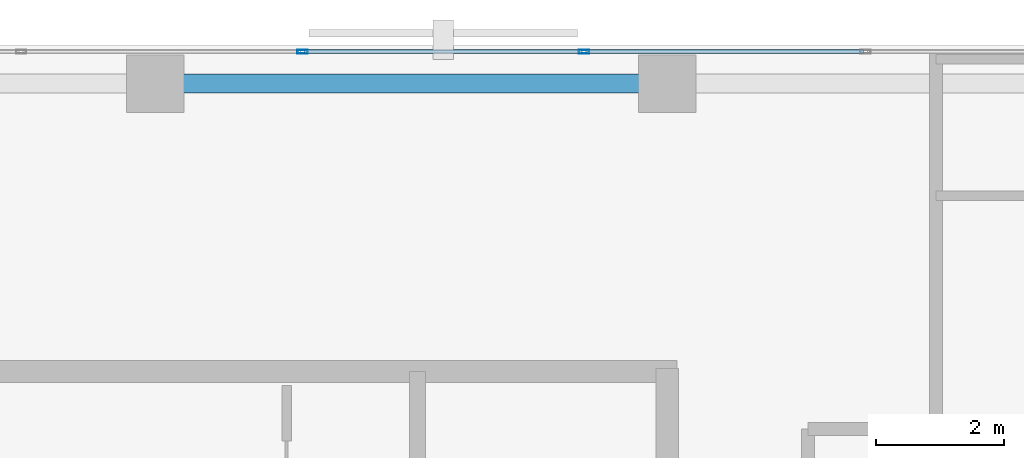
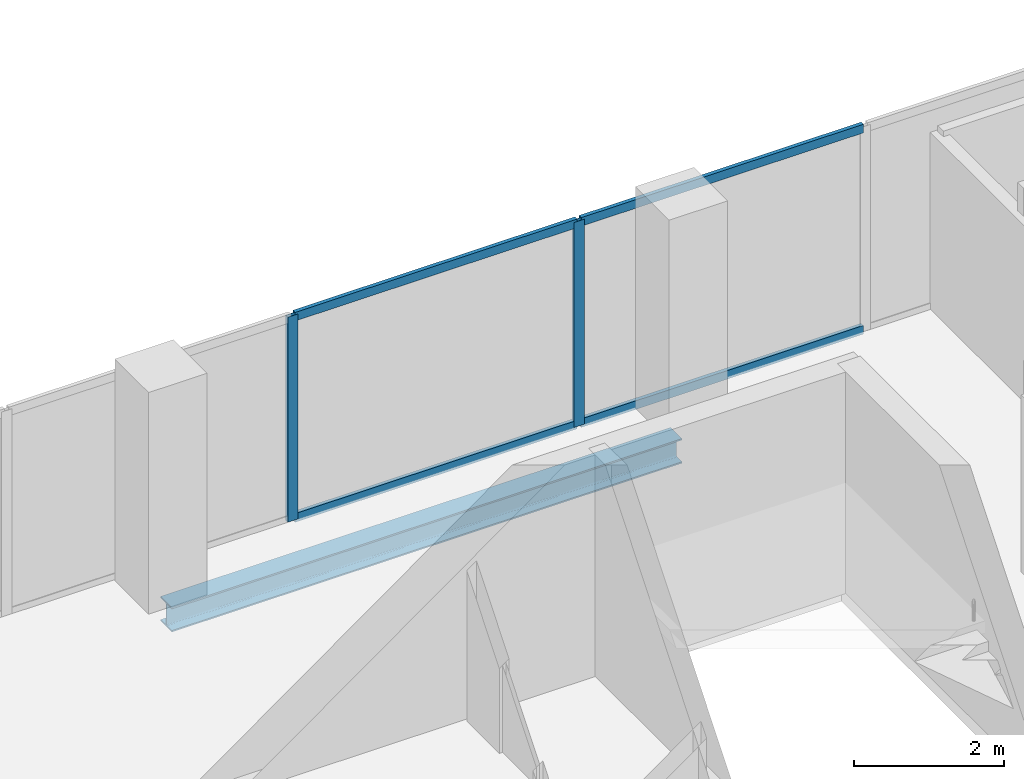
# One storey, part 24 of 33: 6 members, 1 beam, 1 element without a shape of its own.
"""IFC4 building model written with IfcOpenShell, lengths in metres."""

from ifc_helpers import new_model, si_unit, direction, frame, origin, origin_2d, place, context, subcontext, project, spatial, hollow_rectangle, i_section, extrude, material, layer, layer_set, material_profile, profile_set, type_object, element, aggregate, save


model = new_model("IFC4")

# Units and contexts
model_context = context("Model", 3, precision=1e-05, world=origin(), true_north=direction((0.0, 1.0)))
body_context = subcontext(model_context, "Body", "Model", "MODEL_VIEW")
ifc_project = project(units=[si_unit("LENGTHUNIT", "METRE"), si_unit("AREAUNIT", "SQUARE_METRE"), si_unit("VOLUMEUNIT", "CUBIC_METRE"), si_unit("PLANEANGLEUNIT", "RADIAN"), si_unit("MASSUNIT", "GRAM", prefix="KILO")], contexts=[model_context])

# Site, building, storey
site_placement = place(None, origin())
site = spatial("IfcSite", under=ifc_project, at=site_placement, CompositionType="ELEMENT")
building_placement = place(site_placement, origin())
building = spatial("IfcBuilding", under=site, at=building_placement, Name="Catumbela Crestline Tower", CompositionType="ELEMENT")
storey_placement = place(building_placement, frame((0.0, 0.0, 100.8)))
storey = spatial("IfcBuildingStorey", under=building, at=storey_placement, Name="L25", CompositionType="ELEMENT", Elevation=100.8)

# Curtain wall, members
ifc_material_1 = material(Name="Aluminium alloy AW-6060-T66", Category="aluminium")
ifc_layer = layer(ifc_material_1, 0.18, Name="Aluminium alloy AW-6060-T66")
ifc_layer_set = layer_set([ifc_layer], Name="Aluminium alloy AW-6060-T66")
curtain_wall_type = type_object("IfcCurtainWallType", Name="CWU-Z2", PredefinedType="USERDEFINED", material=ifc_layer_set)
curtain_wall_placement = place(storey_placement, origin())
curtain_wall = element("IfcCurtainWall", 1, at=curtain_wall_placement, inside=storey, type_object=curtain_wall_type, Name="L25 Unitised Curtain Wall CW-L25-E7S1", ObjectType="UNITISED", PredefinedType="USERDEFINED")
ifc_material_profile_1 = material_profile(ifc_material_1, hollow_rectangle(XDim=0.06, YDim=0.16, WallThickness=0.004, at=origin_2d()), Name="ALU 160x60x4")
ifc_profile_set_1 = profile_set([ifc_material_profile_1], Name="Aluminium alloy AW-6060-T66")
member_type_1 = type_object("IfcMemberType", Name="MUL-160X60", PredefinedType="MULLION", material=ifc_profile_set_1)
member_1_placement = place(storey_placement, frame((38.7, 47.9, 0.0), z_axis=(0.0, 0.0, 1.0), x_axis=(0.0, -1.0, 0.0)))
member_1 = element("IfcMember", 2, at=member_1_placement, type_object=member_type_1, Name="CWU-Z2 mullion 3", PredefinedType="MULLION", context=body_context, shape_type="SweptSolid", body=[
    extrude(hollow_rectangle(XDim=0.06, YDim=0.16, WallThickness=0.004, at=origin_2d()), origin(), (0.0, 0.0, 1.0), 3.33),
])
member_2_placement = place(storey_placement, frame((34.3, 47.9, 0.0), z_axis=(0.0, 0.0, 1.0), x_axis=(0.0, -1.0, 0.0)))
member_2 = element("IfcMember", 3, at=member_2_placement, type_object=member_type_1, Name="CWU-Z2 mullion 4", PredefinedType="MULLION", context=body_context, shape_type="SweptSolid", body=[
    extrude(hollow_rectangle(XDim=0.06, YDim=0.16, WallThickness=0.004, at=origin_2d()), origin(), (0.0, 0.0, 1.0), 3.33),
])

# Beam
ifc_material_2 = material(Name="Structural steel S355J2", Category="steel")
ifc_material_profile_2 = material_profile(ifc_material_2, i_section(OverallWidth=0.3, OverallDepth=0.4, WebThickness=0.0135, FlangeThickness=0.024, FilletRadius=0.027, at=origin_2d()), Name="HEB 400")
ifc_profile_set_2 = profile_set([ifc_material_profile_2], Name="Structural steel S355J2")
beam_type = type_object("IfcBeamType", Name="BS-HEB400", PredefinedType="SPANDREL", material=ifc_profile_set_2)
beam_placement = place(storey_placement, frame((32.08, 47.4, -0.46), z_axis=(1.0, 0.0, 0.0), x_axis=(0.0, 1.0, 0.0)))
element("IfcBeam", 4, at=beam_placement, inside=storey, type_object=beam_type, Name="L25 Spandrel SP-L25-NF20", PredefinedType="SPANDREL", context=body_context, shape_type="SweptSolid", body=[
    extrude(i_section(OverallWidth=0.3, OverallDepth=0.4, WebThickness=0.0135, FlangeThickness=0.024, FilletRadius=0.027, at=origin_2d()), origin(), (0.0, 0.0, 1.0), 7.84),
])

# Member
ifc_material_profile_3 = material_profile(ifc_material_1, hollow_rectangle(XDim=0.06, YDim=0.14, WallThickness=0.004, at=origin_2d()), Name="ALU 140x60x4")
ifc_profile_set_3 = profile_set([ifc_material_profile_3], Name="Aluminium alloy AW-6060-T66")
member_type_2 = type_object("IfcMemberType", Name="TRN-140X60", PredefinedType="USERDEFINED", material=ifc_profile_set_3)
member_3_placement = place(storey_placement, frame((43.0675, 47.9, 0.03), z_axis=(-1.0, 0.0, 0.0), x_axis=(0.0, -1.0, 0.0)))
member_3 = element("IfcMember", 5, at=member_3_placement, type_object=member_type_2, Name="CWU-Z2 transom 2.1", ObjectType="TRANSOM", PredefinedType="USERDEFINED", context=body_context, shape_type="SweptSolid", body=[
    extrude(hollow_rectangle(XDim=0.06, YDim=0.14, WallThickness=0.004, at=origin_2d()), origin(), (0.0, 0.0, 1.0), 4.335),
])

member_4_placement = place(storey_placement, frame((43.0675, 47.9, 3.3), z_axis=(-1.0, 0.0, 0.0), x_axis=(0.0, -1.0, 0.0)))
member_4 = element("IfcMember", 6, at=member_4_placement, type_object=member_type_2, Name="CWU-Z2 transom 2.2", ObjectType="TRANSOM", PredefinedType="USERDEFINED", context=body_context, shape_type="SweptSolid", body=[
    extrude(hollow_rectangle(XDim=0.06, YDim=0.14, WallThickness=0.004, at=origin_2d()), origin(), (0.0, 0.0, 1.0), 4.335),
])

member_5_placement = place(storey_placement, frame((38.6675, 47.9, 0.03), z_axis=(-1.0, 0.0, 0.0), x_axis=(0.0, -1.0, 0.0)))
member_5 = element("IfcMember", 7, at=member_5_placement, type_object=member_type_2, Name="CWU-Z2 transom 3.1", ObjectType="TRANSOM", PredefinedType="USERDEFINED", context=body_context, shape_type="SweptSolid", body=[
    extrude(hollow_rectangle(XDim=0.06, YDim=0.14, WallThickness=0.004, at=origin_2d()), origin(), (0.0, 0.0, 1.0), 4.335),
])

member_6_placement = place(storey_placement, frame((38.6675, 47.9, 3.3), z_axis=(-1.0, 0.0, 0.0), x_axis=(0.0, -1.0, 0.0)))
member_6 = element("IfcMember", 8, at=member_6_placement, type_object=member_type_2, Name="CWU-Z2 transom 3.2", ObjectType="TRANSOM", PredefinedType="USERDEFINED", context=body_context, shape_type="SweptSolid", body=[
    extrude(hollow_rectangle(XDim=0.06, YDim=0.14, WallThickness=0.004, at=origin_2d()), origin(), (0.0, 0.0, 1.0), 4.335),
])

aggregate(curtain_wall, [member_1, member_2, member_3, member_4, member_5, member_6])

save(model, "model.ifc")
